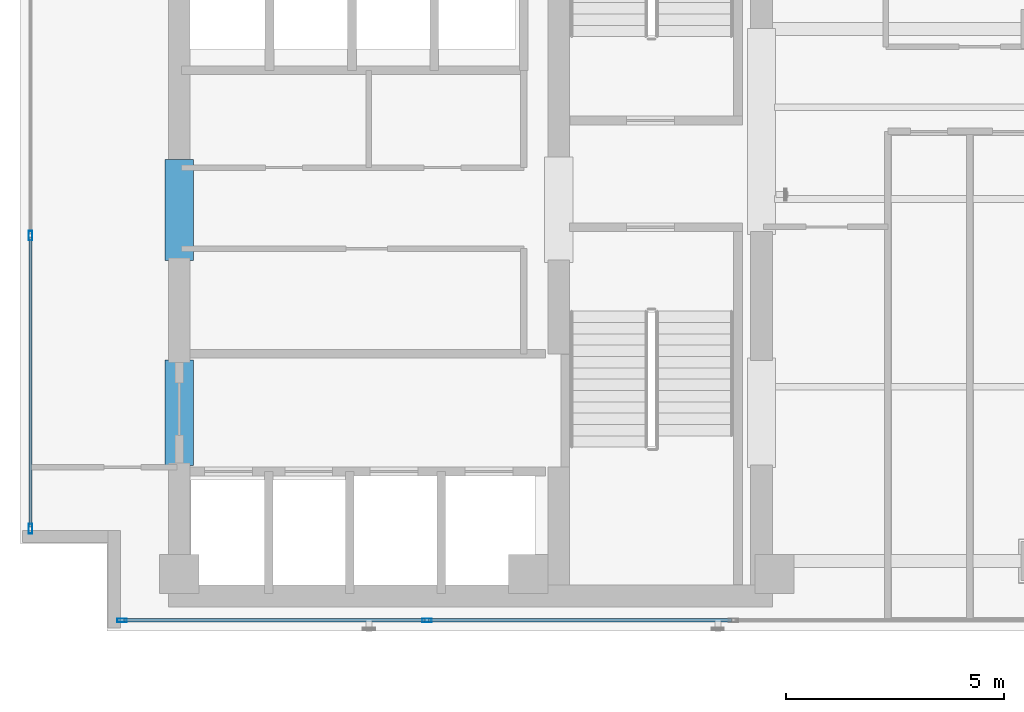
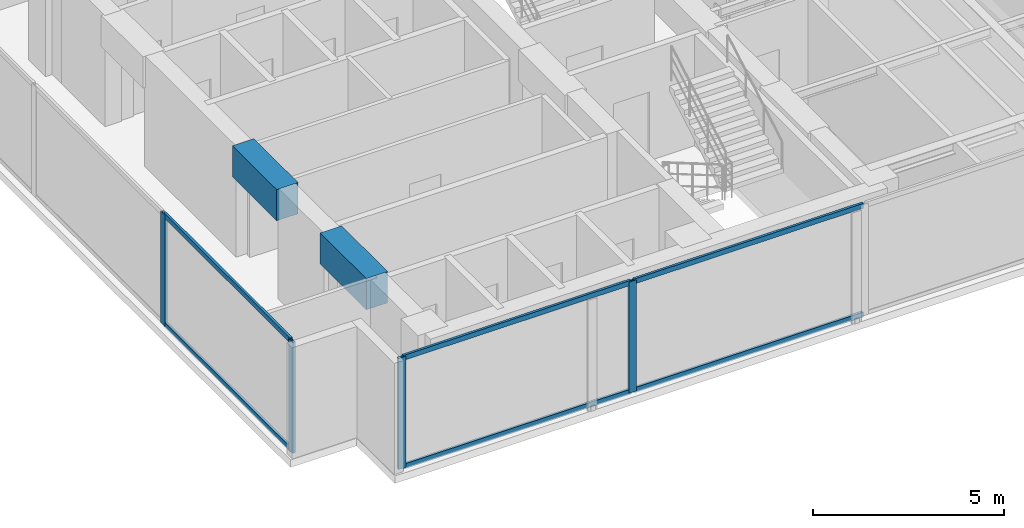
# One storey, part 2 of 22: 10 members, 2 beams, 2 elements without a shape of their own.
"""IFC4 building model written with IfcOpenShell, lengths in metres."""

from ifc_helpers import new_model, si_unit, direction, frame, origin, origin_with_axes, origin_2d, place, context, subcontext, project, spatial, rectangle, hollow_rectangle, extrude, source, transform, mapped, material, layer, layer_set, material_profile, profile_set, type_object, element, aggregate, save


model = new_model("IFC4")

# Units and contexts
model_context = context("Model", 3, precision=1e-05, world=origin(), true_north=direction((0.0, 1.0)))
body_context = subcontext(model_context, "Body", "Model", "MODEL_VIEW")
ifc_project = project(units=[si_unit("LENGTHUNIT", "METRE"), si_unit("AREAUNIT", "SQUARE_METRE"), si_unit("VOLUMEUNIT", "CUBIC_METRE"), si_unit("PLANEANGLEUNIT", "RADIAN"), si_unit("MASSUNIT", "GRAM", prefix="KILO")], contexts=[model_context])

# Site, building, storey
site_placement = place(None, origin())
site = spatial("IfcSite", under=ifc_project, at=site_placement, CompositionType="ELEMENT")
building_placement = place(site_placement, origin())
building = spatial("IfcBuilding", under=site, at=building_placement, Name="Kolvaren Waterfront Exchange", CompositionType="ELEMENT")
storey_placement = place(building_placement, frame((0.0, 0.0, 266.60009765625)))
storey = spatial("IfcBuildingStorey", under=building, at=storey_placement, Name="L68", CompositionType="ELEMENT", Elevation=266.60009765625)

# Beams
ifc_material_1 = material(Name="Concrete C60/75", Category="concrete")
ifc_material_profile_1 = material_profile(ifc_material_1, rectangle(XDim=0.64990234375, YDim=1.0, at=origin_2d()), Name="RC-CB-1000x650")
ifc_profile_set_1 = profile_set([ifc_material_profile_1], Name="Concrete C60/75")
beam_type = type_object("IfcBeamType", Name="STR-CB-1000", PredefinedType="SPANDREL", material=ifc_profile_set_1)
beam_1_placement = place(storey_placement, frame((7.449951171875, 7.389892578125, 3.059814453125), z_axis=(0.0, 1.0, 0.0), x_axis=(-1.0, 0.0, 0.0)))
element("IfcBeam", 1, at=beam_1_placement, inside=storey, type_object=beam_type, Name="L68 core coupling beam 3", PredefinedType="SPANDREL", context=body_context, shape_type="SweptSolid", body=[
    extrude(rectangle(XDim=0.64990234375, YDim=1.0, at=origin_2d()), origin(), (0.0, 0.0, 1.0), 2.420166015625),
])
beam_2_placement = place(storey_placement, frame((7.449951171875, 12.090087890625, 3.059814453125), z_axis=(0.0, 1.0, 0.0), x_axis=(-1.0, 0.0, 0.0)))
element("IfcBeam", 2, at=beam_2_placement, inside=storey, type_object=beam_type, Name="L68 core coupling beam 4", PredefinedType="SPANDREL", context=body_context, shape_type="SweptSolid", body=[
    extrude(rectangle(XDim=0.64990234375, YDim=1.0, at=origin_2d()), origin(), (0.0, 0.0, 1.0), 2.31982421875),
])

# Curtain wall, members
ifc_material_2 = material(Name="Anodised bronze aluminium 6063-T6", Category="aluminium")
ifc_layer_1 = layer(ifc_material_2, 0.219970703125, Name="Anodised bronze aluminium 6063-T6")
ifc_layer_set_1 = layer_set([ifc_layer_1], Name="Anodised bronze aluminium 6063-T6")
curtain_wall_type_1 = type_object("IfcCurtainWallType", Name="ARC-CW-SYS1", PredefinedType="USERDEFINED", material=ifc_layer_set_1)
curtain_wall_1_placement = place(storey_placement, origin())
curtain_wall_1 = element("IfcCurtainWall", 3, at=curtain_wall_1_placement, inside=storey, type_object=curtain_wall_type_1, Name="L68 stick curtain wall CW1 (CW-L68-S)", ObjectType="STICK CURTAIN WALL", PredefinedType="USERDEFINED")
ifc_material_3 = material(Name="Anodised aluminium 6063-T6", Category="aluminium")
ifc_material_profile_2 = material_profile(ifc_material_3, hollow_rectangle(XDim=0.080078125, YDim=0.219970703125, WallThickness=0.0048828125, at=origin_2d()), Name="ALU-MUL-220x80x5")
ifc_profile_set_2 = profile_set([ifc_material_profile_2], Name="Anodised aluminium 6063-T6")
member_type_1 = type_object("IfcMemberType", Name="ARC-CWM-220", PredefinedType="MULLION", material=ifc_profile_set_2)
shared_shape_1 = source(origin_with_axes(), body_context, "Body", "SweptSolid", [
    extrude(hollow_rectangle(XDim=0.080078125, YDim=0.219970703125, WallThickness=0.0048828125, at=origin_2d()), origin(), (0.0, 0.0, 1.0), 3.559814453125),
])
member_1_placement = place(storey_placement, frame((6.139892578125, 3.840087890625, 0.0), z_axis=(0.0, 0.0, 1.0), x_axis=(0.0, 1.0, 0.0)))
member_1 = element("IfcMember", 4, at=member_1_placement, type_object=member_type_1, Name="CW1 mullion 1", PredefinedType="MULLION", context=body_context, shape_type="MappedRepresentation", body=[
    mapped(shared_shape_1, transform((0.0, 0.0, 0.0), x_axis=(1.0, 0.0, 0.0), y_axis=(0.0, 1.0, 0.0), z_axis=(0.0, 0.0, 1.0), scale=1.0)),
])
member_2_placement = place(storey_placement, frame((13.127197265625, 3.840087890625, 0.0), z_axis=(0.0, 0.0, 1.0), x_axis=(0.0, 1.0, 0.0)))
member_2 = element("IfcMember", 5, at=member_2_placement, type_object=member_type_1, Name="CW1 mullion 2", PredefinedType="MULLION", context=body_context, shape_type="MappedRepresentation", body=[
    mapped(shared_shape_1, transform((0.0, 0.0, 0.0), x_axis=(1.0, 0.0, 0.0), y_axis=(0.0, 1.0, 0.0), z_axis=(0.0, 0.0, 1.0), scale=1.0)),
])

ifc_layer_2 = layer(ifc_material_3, 0.219970703125, Name="Anodised aluminium 6063-T6")
ifc_layer_set_2 = layer_set([ifc_layer_2], Name="Anodised aluminium 6063-T6")
curtain_wall_type_2 = type_object("IfcCurtainWallType", Name="ARC-CW-SYS2", PredefinedType="USERDEFINED", material=ifc_layer_set_2)
curtain_wall_2_placement = place(storey_placement, origin())
curtain_wall_2 = element("IfcCurtainWall", 6, at=curtain_wall_2_placement, inside=storey, type_object=curtain_wall_type_2, Name="L68 stick curtain wall CW2 (CW-L68-W)", ObjectType="STICK CURTAIN WALL", PredefinedType="USERDEFINED")
member_3_placement = place(storey_placement, frame((4.0400390625, 5.93994140625, 0.0), z_axis=(0.0, 0.0, 1.0), x_axis=(-1.0, 0.0, 0.0)))
member_3 = element("IfcMember", 7, at=member_3_placement, type_object=member_type_1, Name="CW2 mullion 1", PredefinedType="MULLION", context=body_context, shape_type="MappedRepresentation", body=[
    mapped(shared_shape_1, transform((0.0, 0.0, 0.0), x_axis=(1.0, 0.0, 0.0), y_axis=(0.0, 1.0, 0.0), z_axis=(0.0, 0.0, 1.0), scale=1.0)),
])
member_4_placement = place(storey_placement, frame((4.0400390625, 12.66064453125, 0.0), z_axis=(0.0, 0.0, 1.0), x_axis=(-1.0, 0.0, 0.0)))
member_4 = element("IfcMember", 8, at=member_4_placement, type_object=member_type_1, Name="CW2 mullion 2", PredefinedType="MULLION", context=body_context, shape_type="MappedRepresentation", body=[
    mapped(shared_shape_1, transform((0.0, 0.0, 0.0), x_axis=(1.0, 0.0, 0.0), y_axis=(0.0, 1.0, 0.0), z_axis=(0.0, 0.0, 1.0), scale=1.0)),
])

# Member
ifc_material_profile_3 = material_profile(ifc_material_3, hollow_rectangle(XDim=0.074951171875, YDim=0.159912109375, WallThickness=0.00439453125, at=origin_2d()), Name="ALU-TRN-160x75x4.5")
ifc_profile_set_3 = profile_set([ifc_material_profile_3], Name="Anodised aluminium 6063-T6")
member_type_2 = type_object("IfcMemberType", Name="ARC-CWT-160", PredefinedType="USERDEFINED", material=ifc_profile_set_3)
shared_shape_2 = source(origin_with_axes(), body_context, "Body", "SweptSolid", [
    extrude(hollow_rectangle(XDim=0.074951171875, YDim=0.159912109375, WallThickness=0.00439453125, at=origin_2d()), origin(), (0.0, 0.0, 1.0), 6.9072265625),
])
member_5_placement = place(storey_placement, frame((6.179931640625, 3.840087890625, 0.037353515625), z_axis=(1.0, 0.0, 0.0), x_axis=(0.0, 1.0, 0.0)))
member_5 = element("IfcMember", 9, at=member_5_placement, type_object=member_type_2, Name="CW1 transom 1.1", ObjectType="TRANSOM", PredefinedType="USERDEFINED", context=body_context, shape_type="MappedRepresentation", body=[
    mapped(shared_shape_2, transform((0.0, 0.0, 0.0), x_axis=(1.0, 0.0, 0.0), y_axis=(0.0, 1.0, 0.0), z_axis=(0.0, 0.0, 1.0), scale=1.0)),
])

member_6_placement = place(storey_placement, frame((6.179931640625, 3.840087890625, 3.5224609375), z_axis=(1.0, 0.0, 0.0), x_axis=(0.0, 1.0, 0.0)))
member_6 = element("IfcMember", 10, at=member_6_placement, type_object=member_type_2, Name="CW1 transom 1.2", ObjectType="TRANSOM", PredefinedType="USERDEFINED", context=body_context, shape_type="MappedRepresentation", body=[
    mapped(shared_shape_2, transform((0.0, 0.0, 0.0), x_axis=(1.0, 0.0, 0.0), y_axis=(0.0, 1.0, 0.0), z_axis=(0.0, 0.0, 1.0), scale=1.0)),
])

shared_shape_3 = source(origin_with_axes(), body_context, "Body", "SweptSolid", [
    extrude(hollow_rectangle(XDim=0.074951171875, YDim=0.159912109375, WallThickness=0.00439453125, at=origin_2d()), origin(), (0.0, 0.0, 1.0), 6.947265625),
])
member_7_placement = place(storey_placement, frame((13.167236328125, 3.840087890625, 0.037353515625), z_axis=(1.0, 0.0, 0.0), x_axis=(0.0, 1.0, 0.0)))
member_7 = element("IfcMember", 11, at=member_7_placement, type_object=member_type_2, Name="CW1 transom 2.1", ObjectType="TRANSOM", PredefinedType="USERDEFINED", context=body_context, shape_type="MappedRepresentation", body=[
    mapped(shared_shape_3, transform((0.0, 0.0, 0.0), x_axis=(1.0, 0.0, 0.0), y_axis=(0.0, 1.0, 0.0), z_axis=(0.0, 0.0, 1.0), scale=1.0)),
])

member_8_placement = place(storey_placement, frame((13.167236328125, 3.840087890625, 3.5224609375), z_axis=(1.0, 0.0, 0.0), x_axis=(0.0, 1.0, 0.0)))
member_8 = element("IfcMember", 12, at=member_8_placement, type_object=member_type_2, Name="CW1 transom 2.2", ObjectType="TRANSOM", PredefinedType="USERDEFINED", context=body_context, shape_type="MappedRepresentation", body=[
    mapped(shared_shape_3, transform((0.0, 0.0, 0.0), x_axis=(1.0, 0.0, 0.0), y_axis=(0.0, 1.0, 0.0), z_axis=(0.0, 0.0, 1.0), scale=1.0)),
])

aggregate(curtain_wall_1, [member_1, member_2, member_5, member_6, member_7, member_8])

shared_shape_4 = source(origin_with_axes(), body_context, "Body", "SweptSolid", [
    extrude(hollow_rectangle(XDim=0.074951171875, YDim=0.159912109375, WallThickness=0.00439453125, at=origin_2d()), origin(), (0.0, 0.0, 1.0), 6.640625),
])
member_9_placement = place(storey_placement, frame((4.0400390625, 5.97998046875, 0.037353515625), z_axis=(0.0, 1.0, 0.0), x_axis=(-1.0, 0.0, 0.0)))
member_9 = element("IfcMember", 13, at=member_9_placement, type_object=member_type_2, Name="CW2 transom 1.1", ObjectType="TRANSOM", PredefinedType="USERDEFINED", context=body_context, shape_type="MappedRepresentation", body=[
    mapped(shared_shape_4, transform((0.0, 0.0, 0.0), x_axis=(1.0, 0.0, 0.0), y_axis=(0.0, 1.0, 0.0), z_axis=(0.0, 0.0, 1.0), scale=1.0)),
])

member_10_placement = place(storey_placement, frame((4.0400390625, 5.97998046875, 3.5224609375), z_axis=(0.0, 1.0, 0.0), x_axis=(-1.0, 0.0, 0.0)))
member_10 = element("IfcMember", 14, at=member_10_placement, type_object=member_type_2, Name="CW2 transom 1.2", ObjectType="TRANSOM", PredefinedType="USERDEFINED", context=body_context, shape_type="MappedRepresentation", body=[
    mapped(shared_shape_4, transform((0.0, 0.0, 0.0), x_axis=(1.0, 0.0, 0.0), y_axis=(0.0, 1.0, 0.0), z_axis=(0.0, 0.0, 1.0), scale=1.0)),
])

aggregate(curtain_wall_2, [member_3, member_4, member_9, member_10])

save(model, "model.ifc")
